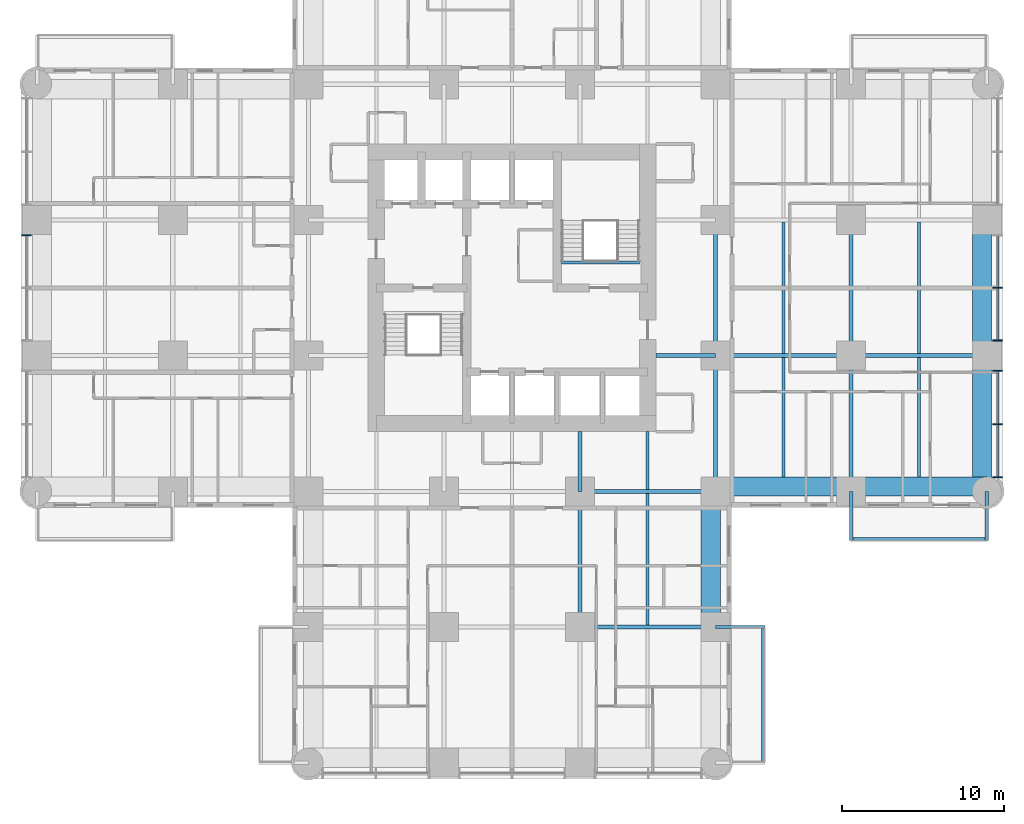
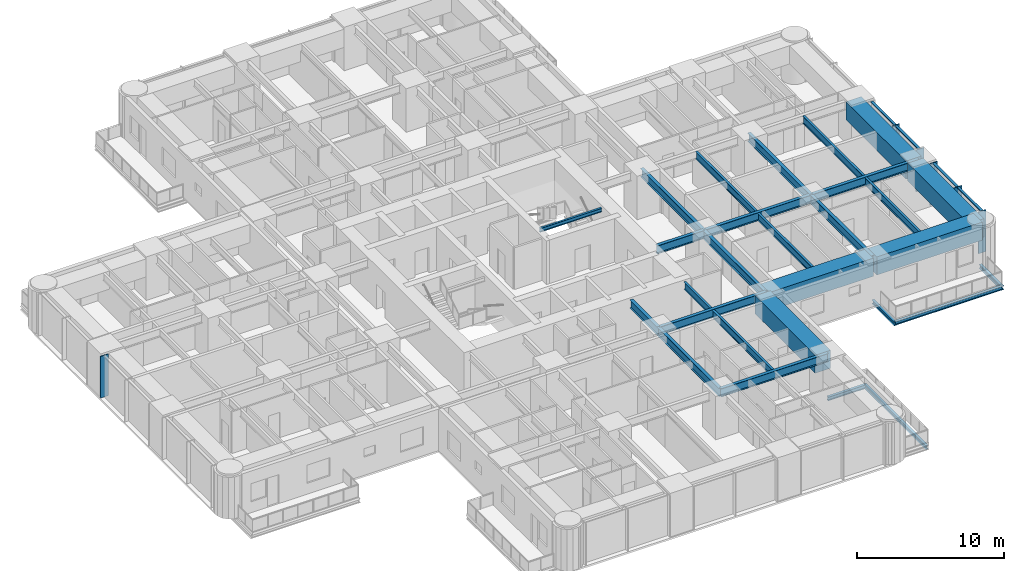
# One storey, part 3 of 17: 28 beams, 10 members, 2 elements without a shape of their own.
"""IFC4 building model written with IfcOpenShell, lengths in metres."""

from ifc_helpers import new_model, si_unit, direction, frame, origin, origin_2d, place, context, subcontext, project, spatial, rectangle, i_section, extrude, material, material_profile, profile_set, type_object, element, aggregate, save


model = new_model("IFC4")

# Units and contexts
model_context = context("Model", 3, precision=1e-05, world=origin(), true_north=direction((0.0, 1.0)))
body_context = subcontext(model_context, "Body", "Model", "MODEL_VIEW")
ifc_project = project(units=[si_unit("LENGTHUNIT", "METRE"), si_unit("AREAUNIT", "SQUARE_METRE"), si_unit("VOLUMEUNIT", "CUBIC_METRE"), si_unit("PLANEANGLEUNIT", "RADIAN"), si_unit("MASSUNIT", "GRAM", prefix="KILO")], contexts=[model_context])

# Site, building, storey
site_placement = place(None, origin())
site = spatial("IfcSite", under=ifc_project, at=site_placement, CompositionType="ELEMENT")
building_placement = place(site_placement, origin())
building = spatial("IfcBuilding", under=site, at=building_placement, Name="Torre Alcanfor", CompositionType="ELEMENT")
storey_placement = place(building_placement, frame((0.0, 0.0, 70.5)))
storey = spatial("IfcBuildingStorey", under=building, at=storey_placement, Name="L17", CompositionType="ELEMENT", Elevation=70.5)

# Beams
ifc_material_1 = material(Name="Steel ASTM A992 Grade 50", Category="steel")
ifc_material_profile_1 = material_profile(ifc_material_1, i_section(OverallWidth=0.205322265625, OverallDepth=0.309814453125, WebThickness=0.00927734375, FlangeThickness=0.016357421875, at=origin_2d()), Name="W12x50")
ifc_profile_set_1 = profile_set([ifc_material_profile_1], Name="Steel ASTM A992 Grade 50")
beam_type_1 = type_object("IfcBeamType", Name="Balcony cantilever beam W12x50", PredefinedType="BEAM", material=ifc_profile_set_1)
for number, where, z_axis, x_axis, name in (
    (1, (50.39990234375, 16.800048828125, -0.35498046875), (0.0, -1.0, 0.0), (1.0, 0.0, 0.0), "Balcony cantilever beam L17-E2 1"),
    (2, (58.800048828125, 16.800048828125, -0.35498046875), (0.0, -1.0, 0.0), (1.0, 0.0, 0.0), "Balcony cantilever beam L17-E2 2"),
    (3, (42.0, 8.39990234375, -0.35498046875), (1.0, 0.0, 0.0), (0.0, 1.0, 0.0), "Balcony cantilever beam L17-S1 1"),
):
    element("IfcBeam", number, at=place(storey_placement, frame(where, z_axis=z_axis, x_axis=x_axis)), inside=storey, type_object=beam_type_1, Name=name, PredefinedType="BEAM", context=body_context, shape_type="SweptSolid", body=[
        extrude(i_section(OverallWidth=0.205322265625, OverallDepth=0.309814453125, WebThickness=0.00927734375, FlangeThickness=0.016357421875, at=origin_2d()), origin(), (0.0, 0.0, 1.0), 3.050048828125),
    ])
ifc_material_2 = material(Name="Steel ASTM A992 Grade 50", Category="steel")
ifc_material_profile_2 = material_profile(ifc_material_2, i_section(OverallWidth=0.203369140625, OverallDepth=0.30224609375, WebThickness=0.007568359375, FlangeThickness=0.01318359375, at=origin_2d()), Name="W12x40")
ifc_profile_set_2 = profile_set([ifc_material_profile_2], Name="Steel ASTM A992 Grade 50")
beam_type_2 = type_object("IfcBeamType", Name="Balcony edge trimmer W12x40", PredefinedType="BEAM", material=ifc_profile_set_2)
beam_1_placement = place(storey_placement, frame((50.39990234375, 13.851806640625, -0.35107421875), z_axis=(1.0, 0.0, 0.0), x_axis=(0.0, 1.0, 0.0)))
element("IfcBeam", 4, at=beam_1_placement, inside=storey, type_object=beam_type_2, Name="Balcony edge trimmer L17-E2", PredefinedType="BEAM", context=body_context, shape_type="SweptSolid", body=[
    extrude(i_section(OverallWidth=0.203369140625, OverallDepth=0.30224609375, WebThickness=0.007568359375, FlangeThickness=0.01318359375, at=origin_2d()), origin(), (0.0, 0.0, 1.0), 8.400146484375),
])
beam_2_placement = place(storey_placement, frame((44.9482421875, 8.39990234375, -0.35107421875), z_axis=(0.0, -1.0, 0.0), x_axis=(1.0, 0.0, 0.0)))
element("IfcBeam", 5, at=beam_2_placement, inside=storey, type_object=beam_type_2, Name="Balcony edge trimmer L17-S1", PredefinedType="BEAM", context=body_context, shape_type="SweptSolid", body=[
    extrude(i_section(OverallWidth=0.203369140625, OverallDepth=0.30224609375, WebThickness=0.007568359375, FlangeThickness=0.01318359375, at=origin_2d()), origin(), (0.0, 0.0, 1.0), 8.39990234375),
])

# Curtain wall, member
ifc_material_3 = material(Name="Aluminium and glass", Category="aluminium")
curtain_wall_type = type_object("IfcCurtainWallType", Name="CW-A unitised apartment glazing with vertical FIN", PredefinedType="NOTDEFINED", material=ifc_material_3)
curtain_wall_1_placement = place(storey_placement, origin())
curtain_wall_1 = element("IfcCurtainWall", 6, at=curtain_wall_1_placement, inside=storey, type_object=curtain_wall_type, Name="Curtain wall CW-A L17 2", PredefinedType="NOTDEFINED")
ifc_material_4 = material(Name="Bronze anodised aluminium", Category="aluminium")
ifc_material_profile_3 = material_profile(ifc_material_4, rectangle(XDim=0.60009765625, YDim=0.06494140625, at=origin_2d()), Name="CW-A mullion 65x600")
ifc_profile_set_3 = profile_set([ifc_material_profile_3], Name="Bronze anodised aluminium")
member_type_1 = type_object("IfcMemberType", Name="CW-A mullion with vertical FIN 65x600", PredefinedType="MULLION", material=ifc_profile_set_3)
member_1_placement = place(storey_placement, frame((-0.64990234375, 32.66259765625, 0.0), z_axis=(0.0, 0.0, 1.0), x_axis=(1.0, 0.0, 0.0)))
member_1 = element("IfcMember", 7, at=member_1_placement, type_object=member_type_1, Name="CW-A mullion 2.1", PredefinedType="MULLION", context=body_context, shape_type="SweptSolid", body=[
    extrude(rectangle(XDim=0.60009765625, YDim=0.06494140625, at=origin_2d()), origin(), (0.0, 0.0, 1.0), 3.449951171875),
])
aggregate(curtain_wall_1, [member_1])

# Curtain wall, members
curtain_wall_2_placement = place(storey_placement, origin())
curtain_wall_2 = element("IfcCurtainWall", 8, at=curtain_wall_2_placement, inside=storey, type_object=curtain_wall_type, Name="Curtain wall CW-A L17 8", PredefinedType="NOTDEFINED")
member_2_placement = place(storey_placement, frame((59.449951171875, 17.6669921875, 0.0), z_axis=(0.0, 0.0, 1.0), x_axis=(-1.0, 0.0, 0.0)))
member_2 = element("IfcMember", 9, at=member_2_placement, type_object=member_type_1, Name="CW-A mullion 1.1", PredefinedType="MULLION", context=body_context, shape_type="SweptSolid", body=[
    extrude(rectangle(XDim=0.60009765625, YDim=0.06494140625, at=origin_2d()), origin(), (0.0, 0.0, 1.0), 3.449951171875),
])
member_3_placement = place(storey_placement, frame((59.449951171875, 20.96484375, 0.0), z_axis=(0.0, 0.0, 1.0), x_axis=(-1.0, 0.0, 0.0)))
member_3 = element("IfcMember", 10, at=member_3_placement, type_object=member_type_1, Name="CW-A mullion 1.2", PredefinedType="MULLION", context=body_context, shape_type="SweptSolid", body=[
    extrude(rectangle(XDim=0.60009765625, YDim=0.06494140625, at=origin_2d()), origin(), (0.0, 0.0, 1.0), 3.449951171875),
])
member_4_placement = place(storey_placement, frame((59.449951171875, 24.262451171875, 0.0), z_axis=(0.0, 0.0, 1.0), x_axis=(-1.0, 0.0, 0.0)))
member_4 = element("IfcMember", 11, at=member_4_placement, type_object=member_type_1, Name="CW-A mullion 1.3", PredefinedType="MULLION", context=body_context, shape_type="SweptSolid", body=[
    extrude(rectangle(XDim=0.60009765625, YDim=0.06494140625, at=origin_2d()), origin(), (0.0, 0.0, 1.0), 3.449951171875),
])
member_5_placement = place(storey_placement, frame((59.449951171875, 26.137451171875, 0.0), z_axis=(0.0, 0.0, 1.0), x_axis=(-1.0, 0.0, 0.0)))
member_5 = element("IfcMember", 12, at=member_5_placement, type_object=member_type_1, Name="CW-A mullion 2.1", PredefinedType="MULLION", context=body_context, shape_type="SweptSolid", body=[
    extrude(rectangle(XDim=0.60009765625, YDim=0.06494140625, at=origin_2d()), origin(), (0.0, 0.0, 1.0), 3.449951171875),
])
member_6_placement = place(storey_placement, frame((59.449951171875, 29.39990234375, 0.0), z_axis=(0.0, 0.0, 1.0), x_axis=(-1.0, 0.0, 0.0)))
member_6 = element("IfcMember", 13, at=member_6_placement, type_object=member_type_1, Name="CW-A mullion 2.2", PredefinedType="MULLION", context=body_context, shape_type="SweptSolid", body=[
    extrude(rectangle(XDim=0.60009765625, YDim=0.06494140625, at=origin_2d()), origin(), (0.0, 0.0, 1.0), 3.449951171875),
])
ifc_material_5 = material(Name="Extruded aluminium", Category="aluminium")
ifc_material_profile_4 = material_profile(ifc_material_5, rectangle(XDim=0.199951171875, YDim=0.06494140625, at=origin_2d()), Name="CW-A transom 200x65")
ifc_profile_set_4 = profile_set([ifc_material_profile_4], Name="Extruded aluminium")
member_type_2 = type_object("IfcMemberType", Name="CW-A transom 65x200", PredefinedType="USERDEFINED", material=ifc_profile_set_4)
member_7_placement = place(storey_placement, frame((59.449951171875, 17.699462890625, 3.41748046875), z_axis=(0.0, 1.0, 0.0), x_axis=(-1.0, 0.0, 0.0)))
member_7 = element("IfcMember", 14, at=member_7_placement, type_object=member_type_2, Name="CW-A transom 1.1.2", ObjectType="TRANSOM", PredefinedType="USERDEFINED", context=body_context, shape_type="SweptSolid", body=[
    extrude(rectangle(XDim=0.199951171875, YDim=0.06494140625, at=origin_2d()), origin(), (0.0, 0.0, 1.0), 3.232666015625),
])
member_8_placement = place(storey_placement, frame((59.449951171875, 20.997314453125, 3.41748046875), z_axis=(0.0, 1.0, 0.0), x_axis=(-1.0, 0.0, 0.0)))
member_8 = element("IfcMember", 15, at=member_8_placement, type_object=member_type_2, Name="CW-A transom 1.2.2", ObjectType="TRANSOM", PredefinedType="USERDEFINED", context=body_context, shape_type="SweptSolid", body=[
    extrude(rectangle(XDim=0.199951171875, YDim=0.06494140625, at=origin_2d()), origin(), (0.0, 0.0, 1.0), 3.232666015625),
])
member_9_placement = place(storey_placement, frame((59.449951171875, 26.169921875, 3.41748046875), z_axis=(0.0, 1.0, 0.0), x_axis=(-1.0, 0.0, 0.0)))
member_9 = element("IfcMember", 16, at=member_9_placement, type_object=member_type_2, Name="CW-A transom 2.1.2", ObjectType="TRANSOM", PredefinedType="USERDEFINED", context=body_context, shape_type="SweptSolid", body=[
    extrude(rectangle(XDim=0.199951171875, YDim=0.06494140625, at=origin_2d()), origin(), (0.0, 0.0, 1.0), 3.197509765625),
])
member_10_placement = place(storey_placement, frame((59.449951171875, 29.4326171875, 3.41748046875), z_axis=(0.0, 1.0, 0.0), x_axis=(-1.0, 0.0, 0.0)))
member_10 = element("IfcMember", 17, at=member_10_placement, type_object=member_type_2, Name="CW-A transom 2.2.2", ObjectType="TRANSOM", PredefinedType="USERDEFINED", context=body_context, shape_type="SweptSolid", body=[
    extrude(rectangle(XDim=0.199951171875, YDim=0.06494140625, at=origin_2d()), origin(), (0.0, 0.0, 1.0), 3.197265625),
])
aggregate(curtain_wall_2, [member_2, member_3, member_4, member_7, member_8, member_5, member_6, member_9, member_10])

# Beams
ifc_material_6 = material(Name="Steel ASTM A992 Grade 50", Category="steel")
ifc_material_profile_5 = material_profile(ifc_material_6, i_section(OverallWidth=0.25390625, OverallDepth=0.683349609375, WebThickness=0.012451171875, FlangeThickness=0.01904296875, at=origin_2d()), Name="W27x94")
ifc_profile_set_5 = profile_set([ifc_material_profile_5], Name="Steel ASTM A992 Grade 50")
beam_type_3 = type_object("IfcBeamType", Name="Girder W27x94", PredefinedType="BEAM", material=ifc_profile_set_5)
for number, where, z_axis, x_axis, name in (
    (18, (33.60009765625, 8.39990234375, 3.1083984375), (1.0, 0.0, 0.0), (0.0, 1.0, 0.0), "Beam 5D-6D under L18"),
    (19, (33.60009765625, 16.800048828125, 3.1083984375), (1.0, 0.0, 0.0), (0.0, 1.0, 0.0), "Beam 5E-6E under L18"),
    (20, (42.0, 25.199951171875, 3.1083984375), (1.0, 0.0, 0.0), (0.0, 1.0, 0.0), "Beam 6F-7F under L18"),
):
    element("IfcBeam", number, at=place(storey_placement, frame(where, z_axis=z_axis, x_axis=x_axis)), inside=storey, type_object=beam_type_3, Name=name, PredefinedType="BEAM", context=body_context, shape_type="SweptSolid", body=[
        extrude(i_section(OverallWidth=0.25390625, OverallDepth=0.683349609375, WebThickness=0.012451171875, FlangeThickness=0.01904296875, at=origin_2d()), origin(), (0.0, 0.0, 1.0), 8.39990234375),
    ])
for number, where, z_axis, x_axis, name in (
    (21, (50.39990234375, 25.199951171875, 3.1083984375), (1.0, 0.0, 0.0), (0.0, 1.0, 0.0), "Beam 7F-8F under L18"),
    (22, (33.60009765625, 8.39990234375, 3.1083984375), (0.0, 1.0, 0.0), (-1.0, 0.0, 0.0), "Beam 5D-5E under L18"),
):
    element("IfcBeam", number, at=place(storey_placement, frame(where, z_axis=z_axis, x_axis=x_axis)), inside=storey, type_object=beam_type_3, Name=name, PredefinedType="BEAM", context=body_context, shape_type="SweptSolid", body=[
        extrude(i_section(OverallWidth=0.25390625, OverallDepth=0.683349609375, WebThickness=0.012451171875, FlangeThickness=0.01904296875, at=origin_2d()), origin(), (0.0, 0.0, 1.0), 8.400146484375),
    ])
beam_3_placement = place(storey_placement, frame((42.0, 16.800048828125, 3.1083984375), z_axis=(0.0, 1.0, 0.0), x_axis=(-1.0, 0.0, 0.0)))
element("IfcBeam", 23, at=beam_3_placement, inside=storey, type_object=beam_type_3, Name="Beam 6E-6F under L18", PredefinedType="BEAM", context=body_context, shape_type="SweptSolid", body=[
    extrude(i_section(OverallWidth=0.25390625, OverallDepth=0.683349609375, WebThickness=0.012451171875, FlangeThickness=0.01904296875, at=origin_2d()), origin(), (0.0, 0.0, 1.0), 8.39990234375),
])
beam_4_placement = place(storey_placement, frame((42.0, 25.199951171875, 3.1083984375), z_axis=(0.0, 1.0, 0.0), x_axis=(-1.0, 0.0, 0.0)))
element("IfcBeam", 24, at=beam_4_placement, inside=storey, type_object=beam_type_3, Name="Beam 6F-6G under L18", PredefinedType="BEAM", context=body_context, shape_type="SweptSolid", body=[
    extrude(i_section(OverallWidth=0.25390625, OverallDepth=0.683349609375, WebThickness=0.012451171875, FlangeThickness=0.01904296875, at=origin_2d()), origin(), (0.0, 0.0, 1.0), 8.400146484375),
])
beam_5_placement = place(storey_placement, frame((50.39990234375, 16.800048828125, 3.1083984375), z_axis=(0.0, 1.0, 0.0), x_axis=(-1.0, 0.0, 0.0)))
element("IfcBeam", 25, at=beam_5_placement, inside=storey, type_object=beam_type_3, Name="Beam 7E-7F under L18", PredefinedType="BEAM", context=body_context, shape_type="SweptSolid", body=[
    extrude(i_section(OverallWidth=0.25390625, OverallDepth=0.683349609375, WebThickness=0.012451171875, FlangeThickness=0.01904296875, at=origin_2d()), origin(), (0.0, 0.0, 1.0), 8.39990234375),
])
beam_6_placement = place(storey_placement, frame((50.39990234375, 25.199951171875, 3.1083984375), z_axis=(0.0, 1.0, 0.0), x_axis=(-1.0, 0.0, 0.0)))
element("IfcBeam", 26, at=beam_6_placement, inside=storey, type_object=beam_type_3, Name="Beam 7F-7G under L18", PredefinedType="BEAM", context=body_context, shape_type="SweptSolid", body=[
    extrude(i_section(OverallWidth=0.25390625, OverallDepth=0.683349609375, WebThickness=0.012451171875, FlangeThickness=0.01904296875, at=origin_2d()), origin(), (0.0, 0.0, 1.0), 8.400146484375),
])
ifc_material_7 = material(Name="Steel ASTM A992 Grade 50", Category="steel")
ifc_material_profile_6 = material_profile(ifc_material_7, i_section(OverallWidth=0.25390625, OverallDepth=0.683349609375, WebThickness=0.012451171875, FlangeThickness=0.01904296875, at=origin_2d()), Name="W27x94")
ifc_profile_set_6 = profile_set([ifc_material_profile_6], Name="Steel ASTM A992 Grade 50")
beam_type_4 = type_object("IfcBeamType", Name="Girder, part bay W27x94", PredefinedType="BEAM", material=ifc_profile_set_6)
for number, where, z_axis, x_axis, name in (
    (27, (33.60009765625, 16.800048828125, 3.1083984375), (0.0, 1.0, 0.0), (-1.0, 0.0, 0.0), "Beam 5E-520_5 under L18"),
    (28, (42.0, 25.199951171875, 3.1083984375), (-1.0, 0.0, 0.0), (0.0, -1.0, 0.0), "Beam 6F-38_3F under L18"),
):
    element("IfcBeam", number, at=place(storey_placement, frame(where, z_axis=z_axis, x_axis=x_axis)), inside=storey, type_object=beam_type_4, Name=name, PredefinedType="BEAM", context=body_context, shape_type="SweptSolid", body=[
        extrude(i_section(OverallWidth=0.25390625, OverallDepth=0.683349609375, WebThickness=0.012451171875, FlangeThickness=0.01904296875, at=origin_2d()), origin(), (0.0, 0.0, 1.0), 3.699951171875),
    ])
ifc_material_8 = material(Name="Concrete f'c 70 MPa", Category="concrete")
ifc_material_profile_7 = material_profile(ifc_material_8, rectangle(XDim=1.199951171875, YDim=1.5, at=origin_2d()), Name="1200x1500")
ifc_profile_set_7 = profile_set([ifc_material_profile_7], Name="Concrete f'c 70 MPa")
beam_type_5 = type_object("IfcBeamType", Name="RC perimeter beam 1200x1500", PredefinedType="BEAM", material=ifc_profile_set_7)
beam_7_placement = place(storey_placement, frame((42.126953125, 17.10009765625, 2.699951171875), z_axis=(1.0, 0.0, 0.0), x_axis=(0.0, 1.0, 0.0)))
element("IfcBeam", 29, at=beam_7_placement, inside=storey, type_object=beam_type_5, Name="Beam 6E-7E under L18", PredefinedType="BEAM", context=body_context, shape_type="SweptSolid", body=[
    extrude(rectangle(XDim=1.199951171875, YDim=1.5, at=origin_2d()), origin(), (0.0, 0.0, 1.0), 8.14599609375),
])
beam_8_placement = place(storey_placement, frame((50.527099609375, 17.10009765625, 2.699951171875), z_axis=(1.0, 0.0, 0.0), x_axis=(0.0, 1.0, 0.0)))
element("IfcBeam", 30, at=beam_8_placement, inside=storey, type_object=beam_type_5, Name="Beam 7E-8E under L18", PredefinedType="BEAM", context=body_context, shape_type="SweptSolid", body=[
    extrude(rectangle(XDim=1.199951171875, YDim=1.5, at=origin_2d()), origin(), (0.0, 0.0, 1.0), 8.27294921875),
])
beam_9_placement = place(storey_placement, frame((41.699951171875, 8.527099609375, 2.699951171875), z_axis=(0.0, 1.0, 0.0), x_axis=(-1.0, 0.0, 0.0)))
element("IfcBeam", 31, at=beam_9_placement, inside=storey, type_object=beam_type_5, Name="Beam 6D-6E under L18", PredefinedType="BEAM", context=body_context, shape_type="SweptSolid", body=[
    extrude(rectangle(XDim=1.199951171875, YDim=1.5, at=origin_2d()), origin(), (0.0, 0.0, 1.0), 8.14599609375),
])
beam_10_placement = place(storey_placement, frame((58.5, 16.800048828125, 2.699951171875), z_axis=(0.0, 1.0, 0.0), x_axis=(-1.0, 0.0, 0.0)))
element("IfcBeam", 32, at=beam_10_placement, inside=storey, type_object=beam_type_5, Name="Beam 8E-8F under L18", PredefinedType="BEAM", context=body_context, shape_type="SweptSolid", body=[
    extrude(rectangle(XDim=1.199951171875, YDim=1.5, at=origin_2d()), origin(), (0.0, 0.0, 1.0), 8.27294921875),
])
beam_11_placement = place(storey_placement, frame((58.5, 25.326904296875, 2.699951171875), z_axis=(0.0, 1.0, 0.0), x_axis=(-1.0, 0.0, 0.0)))
element("IfcBeam", 33, at=beam_11_placement, inside=storey, type_object=beam_type_5, Name="Beam 8F-8G under L18", PredefinedType="BEAM", context=body_context, shape_type="SweptSolid", body=[
    extrude(rectangle(XDim=1.199951171875, YDim=1.5, at=origin_2d()), origin(), (0.0, 0.0, 1.0), 8.14599609375),
])
ifc_material_9 = material(Name="Steel ASTM A992 Grade 50", Category="steel")
ifc_material_profile_8 = material_profile(ifc_material_9, i_section(OverallWidth=0.1787109375, OverallDepth=0.60205078125, WebThickness=0.010986328125, FlangeThickness=0.014892578125, at=origin_2d()), Name="W24x62")
ifc_profile_set_8 = profile_set([ifc_material_profile_8], Name="Steel ASTM A992 Grade 50")
beam_type_6 = type_object("IfcBeamType", Name="Secondary beam W24x62", PredefinedType="BEAM", material=ifc_profile_set_8)
beam_12_placement = place(storey_placement, frame((37.800048828125, 8.527099609375, 3.14892578125), z_axis=(0.0, 1.0, 0.0), x_axis=(-1.0, 0.0, 0.0)))
element("IfcBeam", 34, at=beam_12_placement, inside=storey, type_object=beam_type_6, Name="Beam 37_8D-37_8E under L18", PredefinedType="BEAM", context=body_context, shape_type="SweptSolid", body=[
    extrude(i_section(OverallWidth=0.1787109375, OverallDepth=0.60205078125, WebThickness=0.010986328125, FlangeThickness=0.014892578125, at=origin_2d()), origin(), (0.0, 0.0, 1.0), 8.14599609375),
])
beam_13_placement = place(storey_placement, frame((46.199951171875, 17.699951171875, 3.14892578125), z_axis=(0.0, 1.0, 0.0), x_axis=(-1.0, 0.0, 0.0)))
element("IfcBeam", 35, at=beam_13_placement, inside=storey, type_object=beam_type_6, Name="Beam 46_2E-46_2F under L18", PredefinedType="BEAM", context=body_context, shape_type="SweptSolid", body=[
    extrude(i_section(OverallWidth=0.1787109375, OverallDepth=0.60205078125, WebThickness=0.010986328125, FlangeThickness=0.014892578125, at=origin_2d()), origin(), (0.0, 0.0, 1.0), 7.373046875),
])
beam_14_placement = place(storey_placement, frame((46.199951171875, 25.326904296875, 3.14892578125), z_axis=(0.0, 1.0, 0.0), x_axis=(-1.0, 0.0, 0.0)))
element("IfcBeam", 36, at=beam_14_placement, inside=storey, type_object=beam_type_6, Name="Beam 46_2F-46_2G under L18", PredefinedType="BEAM", context=body_context, shape_type="SweptSolid", body=[
    extrude(i_section(OverallWidth=0.1787109375, OverallDepth=0.60205078125, WebThickness=0.010986328125, FlangeThickness=0.014892578125, at=origin_2d()), origin(), (0.0, 0.0, 1.0), 8.14599609375),
])
beam_15_placement = place(storey_placement, frame((54.60009765625, 17.699951171875, 3.14892578125), z_axis=(0.0, 1.0, 0.0), x_axis=(-1.0, 0.0, 0.0)))
element("IfcBeam", 37, at=beam_15_placement, inside=storey, type_object=beam_type_6, Name="Beam 54_6E-54_6F under L18", PredefinedType="BEAM", context=body_context, shape_type="SweptSolid", body=[
    extrude(i_section(OverallWidth=0.1787109375, OverallDepth=0.60205078125, WebThickness=0.010986328125, FlangeThickness=0.014892578125, at=origin_2d()), origin(), (0.0, 0.0, 1.0), 7.373046875),
])
beam_16_placement = place(storey_placement, frame((54.60009765625, 25.326904296875, 3.14892578125), z_axis=(0.0, 1.0, 0.0), x_axis=(-1.0, 0.0, 0.0)))
element("IfcBeam", 38, at=beam_16_placement, inside=storey, type_object=beam_type_6, Name="Beam 54_6F-54_6G under L18", PredefinedType="BEAM", context=body_context, shape_type="SweptSolid", body=[
    extrude(i_section(OverallWidth=0.1787109375, OverallDepth=0.60205078125, WebThickness=0.010986328125, FlangeThickness=0.014892578125, at=origin_2d()), origin(), (0.0, 0.0, 1.0), 8.14599609375),
])
ifc_material_10 = material(Name="Steel ASTM A992 Grade 50", Category="steel")
ifc_material_profile_9 = material_profile(ifc_material_10, i_section(OverallWidth=0.1787109375, OverallDepth=0.60205078125, WebThickness=0.010986328125, FlangeThickness=0.014892578125, at=origin_2d()), Name="W24x62")
ifc_profile_set_9 = profile_set([ifc_material_profile_9], Name="Steel ASTM A992 Grade 50")
beam_type_7 = type_object("IfcBeamType", Name="Secondary beam, part bay W24x62", PredefinedType="BEAM", material=ifc_profile_set_9)
beam_17_placement = place(storey_placement, frame((37.800048828125, 16.927001953125, 3.14892578125), z_axis=(0.0, 1.0, 0.0), x_axis=(-1.0, 0.0, 0.0)))
element("IfcBeam", 39, at=beam_17_placement, inside=storey, type_object=beam_type_7, Name="Beam 37_8E-37_820_5 under L18", PredefinedType="BEAM", context=body_context, shape_type="SweptSolid", body=[
    extrude(i_section(OverallWidth=0.1787109375, OverallDepth=0.60205078125, WebThickness=0.010986328125, FlangeThickness=0.014892578125, at=origin_2d()), origin(), (0.0, 0.0, 1.0), 3.572998046875),
])
ifc_material_11 = material(Name="Steel ASTM A992 Grade 50", Category="steel")
ifc_material_profile_10 = material_profile(ifc_material_11, i_section(OverallWidth=0.164794921875, OverallDepth=0.309814453125, WebThickness=0.005859375, FlangeThickness=0.009765625, at=origin_2d()), Name="W12x26")
ifc_profile_set_10 = profile_set([ifc_material_profile_10], Name="Steel ASTM A992 Grade 50")
beam_type_8 = type_object("IfcBeamType", Name="Stair landing beam W12x26", PredefinedType="BEAM", material=ifc_profile_set_10)
beam_18_placement = place(storey_placement, frame((32.449951171875, 30.962646484375, 3.2451171875), z_axis=(1.0, 0.0, 0.0), x_axis=(0.0, 1.0, 0.0)))
element("IfcBeam", 40, at=beam_18_placement, inside=storey, type_object=beam_type_8, Name="Landing trimmer S2 L18", PredefinedType="BEAM", context=body_context, shape_type="SweptSolid", body=[
    extrude(i_section(OverallWidth=0.164794921875, OverallDepth=0.309814453125, WebThickness=0.005859375, FlangeThickness=0.009765625, at=origin_2d()), origin(), (0.0, 0.0, 1.0), 4.85009765625),
])

save(model, "model.ifc")
